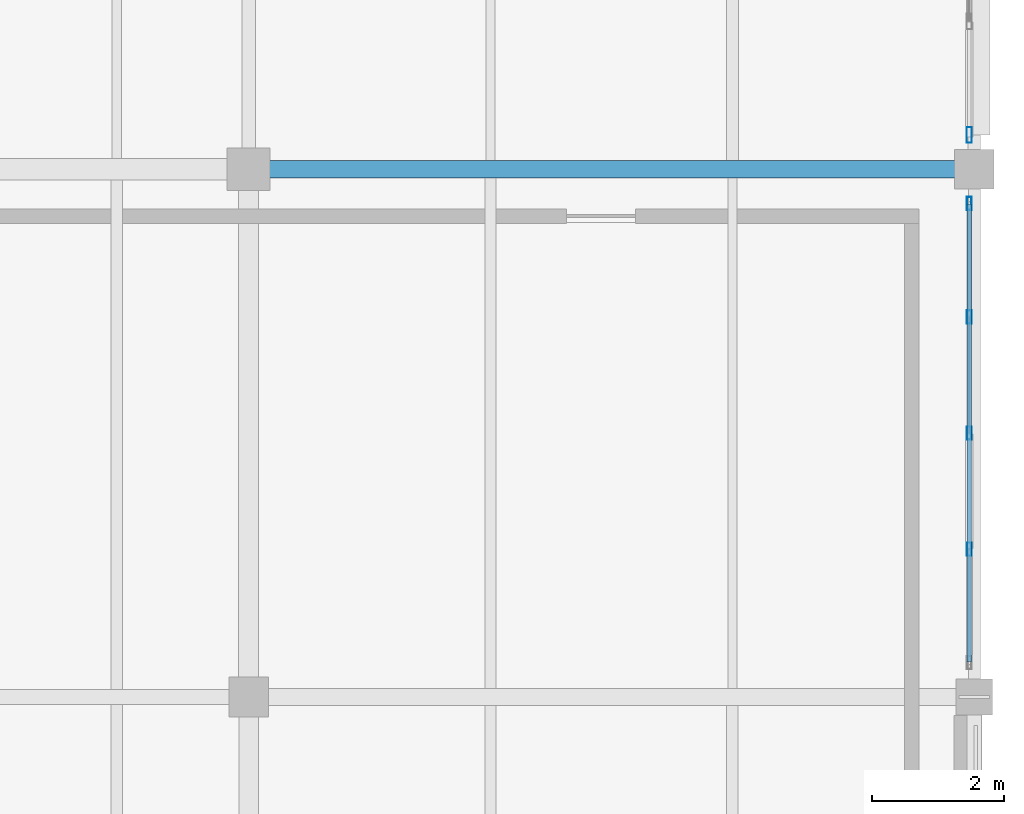
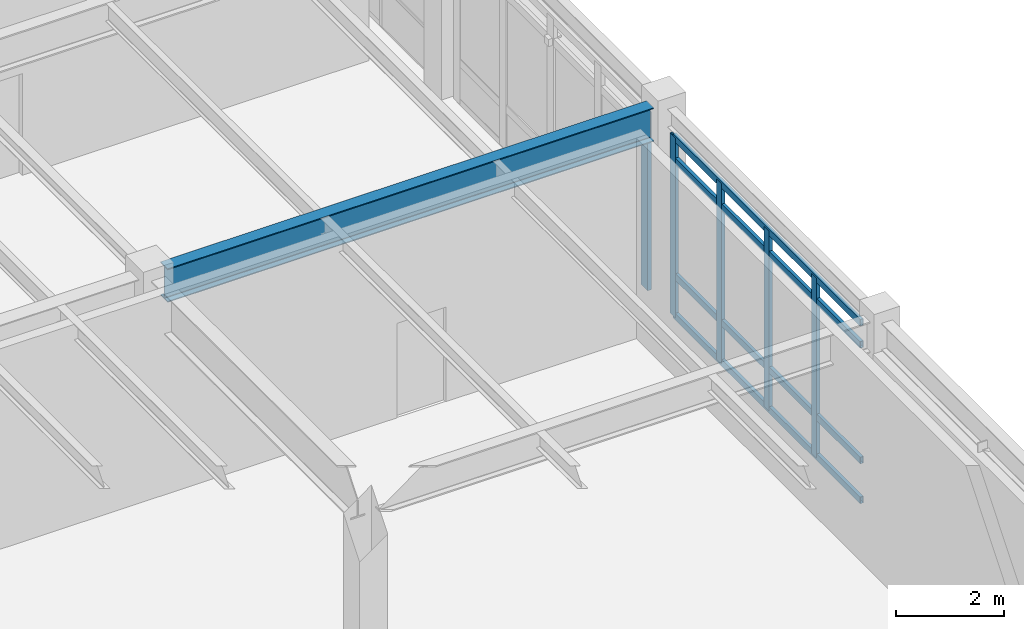
# One storey, part 148 of 200: 9 members, 1 beam, 2 elements without a shape of their own.
"""IFC4 building model written with IfcOpenShell, lengths in metres."""

from ifc_helpers import new_model, si_unit, direction, frame, origin, origin_2d, place, context, subcontext, project, spatial, hollow_rectangle, i_section, extrude, material, material_profile, profile_set, type_object, element, aggregate, save


model = new_model("IFC4")

# Units and contexts
model_context = context("Model", 3, precision=1e-05, world=origin(), true_north=direction((0.0, 1.0)))
body_context = subcontext(model_context, "Body", "Model", "MODEL_VIEW")
ifc_project = project(units=[si_unit("LENGTHUNIT", "METRE"), si_unit("AREAUNIT", "SQUARE_METRE"), si_unit("VOLUMEUNIT", "CUBIC_METRE"), si_unit("PLANEANGLEUNIT", "RADIAN"), si_unit("MASSUNIT", "GRAM", prefix="KILO"), si_unit("THERMODYNAMICTEMPERATUREUNIT", "KELVIN"), si_unit("POWERUNIT", "WATT")], contexts=[model_context])

# Site, building, storey
site_placement = place(None, origin())
site = spatial("IfcSite", under=ifc_project, at=site_placement, CompositionType="ELEMENT")
building_placement = place(site_placement, origin())
building = spatial("IfcBuilding", under=site, at=building_placement, Name="Tepalcoro Natatorium and Aquatics Centre", CompositionType="ELEMENT")
storey_placement = place(building_placement, frame((0.0, 0.0, 5.39990234375)))
storey = spatial("IfcBuildingStorey", under=building, at=storey_placement, Name="L01", CompositionType="ELEMENT", Elevation=5.39990234375)

# Beam
ifc_material_1 = material(Name="Steel ASTM A992 Grade 50 (Fy 345 MPa)", Category="steel")
ifc_material_profile_1 = material_profile(ifc_material_1, i_section(OverallWidth=0.26708984375, OverallDepth=0.761962890625, WebThickness=0.013916015625, FlangeThickness=0.02197265625, FilletRadius=0.013916015625, at=origin_2d()), Name="W30X116")
ifc_profile_set_1 = profile_set([ifc_material_profile_1], Name="Steel ASTM A992 Grade 50 (Fy 345 MPa)")
beam_type = type_object("IfcBeamType", Name="BM_W30x116", PredefinedType="BEAM", material=ifc_profile_set_1)
beam_placement = place(storey_placement, frame((165.31005859375, 102.0, 4.1640625), z_axis=(1.0, 0.0, 0.0), x_axis=(0.0, 1.0, 0.0)))
element("IfcBeam", 1, at=beam_placement, inside=storey, type_object=beam_type, Name="V5 L01 Grid Girder X", PredefinedType="BEAM", context=body_context, shape_type="SweptSolid", body=[
    extrude(i_section(OverallWidth=0.26708984375, OverallDepth=0.761962890625, WebThickness=0.013916015625, FlangeThickness=0.02197265625, FilletRadius=0.013916015625, at=origin_2d()), origin(), (0.0, 0.0, 1.0), 10.405029296875),
])

# Curtain wall, members
ifc_material_2 = material(Name="Bronze-Anodised Extruded Aluminium Alloy EN AW-6063 T6", Category="aluminium")
curtain_wall_type_1 = type_object("IfcCurtainWallType", Name="CW_LEAN_T2_NS", PredefinedType="USERDEFINED", material=ifc_material_2)
curtain_wall_1_placement = place(storey_placement, origin())
curtain_wall_1 = element("IfcCurtainWall", 2, at=curtain_wall_1_placement, inside=storey, type_object=curtain_wall_type_1, Name="V5 L01 E Unitised Curtain Wall Bay 2", ObjectType="FACETED SOLAR GLAZING", PredefinedType="USERDEFINED")
ifc_material_profile_2 = material_profile(ifc_material_2, hollow_rectangle(XDim=0.070068359375, YDim=0.199951171875, WallThickness=0.0048828125, at=origin_2d()), Name="AL70X200X5")
ifc_profile_set_2 = profile_set([ifc_material_profile_2], Name="Bronze-Anodised Extruded Aluminium Alloy EN AW-6063 T6")
member_type_1 = type_object("IfcMemberType", Name="CW_MUL_70x200", PredefinedType="MULLION", material=ifc_profile_set_2)
member_1_placement = place(storey_placement, frame((175.923828125, 96.239990234375, 0.02001953125), z_axis=(0.0, 0.0, 1.0), x_axis=(1.0, 0.0, 0.0)))
member_1 = element("IfcMember", 3, at=member_1_placement, type_object=member_type_1, Name="CW_LEAN_T2_NS Curtain Wall Mullion", PredefinedType="MULLION", context=body_context, shape_type="SweptSolid", body=[
    extrude(hollow_rectangle(XDim=0.070068359375, YDim=0.199951171875, WallThickness=0.0048828125, at=origin_2d()), origin(), (0.0, 0.0, 1.0), 4.0771484375),
])
member_2_placement = place(storey_placement, frame((175.923828125, 98.0, 0.02001953125), z_axis=(0.0, 0.0, 1.0), x_axis=(1.0, 0.0, 0.0)))
member_2 = element("IfcMember", 4, at=member_2_placement, type_object=member_type_1, Name="CW_LEAN_T2_NS Curtain Wall Mullion", PredefinedType="MULLION", context=body_context, shape_type="SweptSolid", body=[
    extrude(hollow_rectangle(XDim=0.070068359375, YDim=0.199951171875, WallThickness=0.0048828125, at=origin_2d()), origin(), (0.0, 0.0, 1.0), 4.0771484375),
])
member_3_placement = place(storey_placement, frame((175.923828125, 99.760009765625, 0.02001953125), z_axis=(0.0, 0.0, 1.0), x_axis=(1.0, 0.0, 0.0)))
member_3 = element("IfcMember", 5, at=member_3_placement, type_object=member_type_1, Name="CW_LEAN_T2_NS Curtain Wall Mullion", PredefinedType="MULLION", context=body_context, shape_type="SweptSolid", body=[
    extrude(hollow_rectangle(XDim=0.070068359375, YDim=0.199951171875, WallThickness=0.0048828125, at=origin_2d()), origin(), (0.0, 0.0, 1.0), 4.0771484375),
])
member_4_placement = place(storey_placement, frame((175.923828125, 101.47998046875, 0.02001953125), z_axis=(0.0, 0.0, 1.0), x_axis=(1.0, 0.0, 0.0)))
member_4 = element("IfcMember", 6, at=member_4_placement, type_object=member_type_1, Name="CW_LEAN_T2_NS Curtain Wall Mullion", PredefinedType="MULLION", context=body_context, shape_type="SweptSolid", body=[
    extrude(hollow_rectangle(XDim=0.070068359375, YDim=0.199951171875, WallThickness=0.0048828125, at=origin_2d()), origin(), (0.0, 0.0, 1.0), 4.0771484375),
])

# Curtain wall, member
curtain_wall_type_2 = type_object("IfcCurtainWallType", Name="CW_LEAN_T2_EW", PredefinedType="USERDEFINED", material=ifc_material_2)
curtain_wall_2_placement = place(storey_placement, origin())
curtain_wall_2 = element("IfcCurtainWall", 7, at=curtain_wall_2_placement, inside=storey, type_object=curtain_wall_type_2, Name="V5 L01 E Unitised Curtain Wall Bay 3", ObjectType="FACETED SOLAR GLAZING", PredefinedType="USERDEFINED")
ifc_material_profile_3 = material_profile(ifc_material_2, hollow_rectangle(XDim=0.080078125, YDim=0.239990234375, WallThickness=0.0048828125, at=origin_2d()), Name="AL80X240X5")
ifc_profile_set_3 = profile_set([ifc_material_profile_3], Name="Bronze-Anodised Extruded Aluminium Alloy EN AW-6063 T6")
member_type_2 = type_object("IfcMemberType", Name="CW_MUL_80x240", PredefinedType="MULLION", material=ifc_profile_set_3)
member_5_placement = place(storey_placement, frame((175.923828125, 102.52001953125, 0.02001953125), z_axis=(0.0, 0.0, 1.0), x_axis=(1.0, 0.0, 0.0)))
member_5 = element("IfcMember", 8, at=member_5_placement, type_object=member_type_2, Name="CW_LEAN_T2_EW Curtain Wall Mullion", PredefinedType="MULLION", context=body_context, shape_type="SweptSolid", body=[
    extrude(hollow_rectangle(XDim=0.080078125, YDim=0.239990234375, WallThickness=0.0048828125, at=origin_2d()), origin(), (0.0, 0.0, 1.0), 4.030029296875),
])
aggregate(curtain_wall_2, [member_5])

# Member
ifc_material_profile_4 = material_profile(ifc_material_2, hollow_rectangle(XDim=0.070068359375, YDim=0.14990234375, WallThickness=0.00390625, at=origin_2d()), Name="AL70X150X4")
ifc_profile_set_4 = profile_set([ifc_material_profile_4], Name="Bronze-Anodised Extruded Aluminium Alloy EN AW-6063 T6")
member_type_3 = type_object("IfcMemberType", Name="CW_TRN_70x150", PredefinedType="USERDEFINED", material=ifc_profile_set_4)
member_6_placement = place(storey_placement, frame((175.923828125, 94.530029296875, 0.050048828125), z_axis=(0.0, 1.0, 0.0), x_axis=(-1.0, 0.0, 0.0)))
member_6 = element("IfcMember", 9, at=member_6_placement, type_object=member_type_3, Name="CW_LEAN_T2_NS Curtain Wall Transom", ObjectType="TRANSOM", PredefinedType="USERDEFINED", context=body_context, shape_type="SweptSolid", body=[
    extrude(hollow_rectangle(XDim=0.070068359375, YDim=0.14990234375, WallThickness=0.00390625, at=origin_2d()), origin(), (0.0, 0.0, 1.0), 6.93994140625),
])

member_7_placement = place(storey_placement, frame((175.923828125, 94.530029296875, 0.9501953125), z_axis=(0.0, 1.0, 0.0), x_axis=(-1.0, 0.0, 0.0)))
member_7 = element("IfcMember", 10, at=member_7_placement, type_object=member_type_3, Name="CW_LEAN_T2_NS Curtain Wall Transom", ObjectType="TRANSOM", PredefinedType="USERDEFINED", context=body_context, shape_type="SweptSolid", body=[
    extrude(hollow_rectangle(XDim=0.070068359375, YDim=0.14990234375, WallThickness=0.00390625, at=origin_2d()), origin(), (0.0, 0.0, 1.0), 6.93994140625),
])

member_8_placement = place(storey_placement, frame((175.923828125, 94.530029296875, 3.567138671875), z_axis=(0.0, 1.0, 0.0), x_axis=(-1.0, 0.0, 0.0)))
member_8 = element("IfcMember", 11, at=member_8_placement, type_object=member_type_3, Name="CW_LEAN_T2_NS Curtain Wall Transom", ObjectType="TRANSOM", PredefinedType="USERDEFINED", context=body_context, shape_type="SweptSolid", body=[
    extrude(hollow_rectangle(XDim=0.070068359375, YDim=0.14990234375, WallThickness=0.00390625, at=origin_2d()), origin(), (0.0, 0.0, 1.0), 6.93994140625),
])

member_9_placement = place(storey_placement, frame((175.923828125, 94.530029296875, 4.067138671875), z_axis=(0.0, 1.0, 0.0), x_axis=(-1.0, 0.0, 0.0)))
member_9 = element("IfcMember", 12, at=member_9_placement, type_object=member_type_3, Name="CW_LEAN_T2_NS Curtain Wall Transom", ObjectType="TRANSOM", PredefinedType="USERDEFINED", context=body_context, shape_type="SweptSolid", body=[
    extrude(hollow_rectangle(XDim=0.070068359375, YDim=0.14990234375, WallThickness=0.00390625, at=origin_2d()), origin(), (0.0, 0.0, 1.0), 6.93994140625),
])

aggregate(curtain_wall_1, [member_1, member_2, member_3, member_4, member_6, member_7, member_8, member_9])

save(model, "model.ifc")
